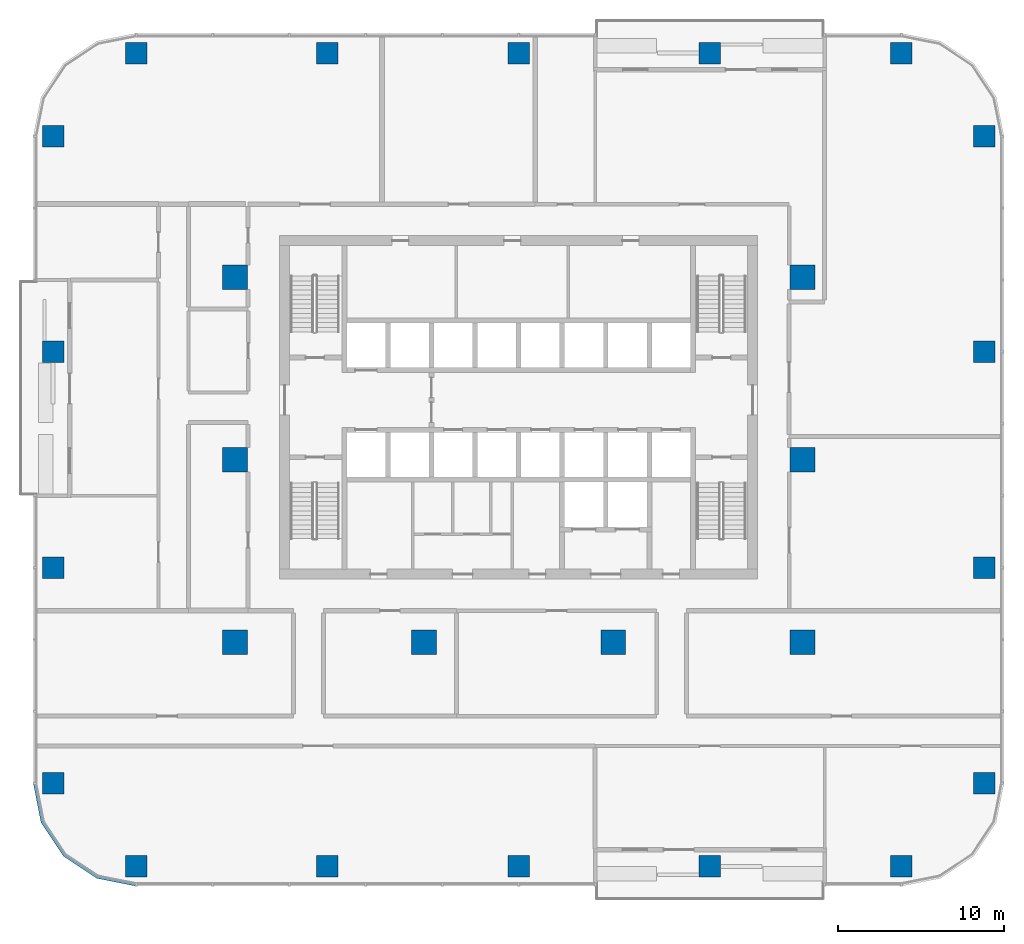
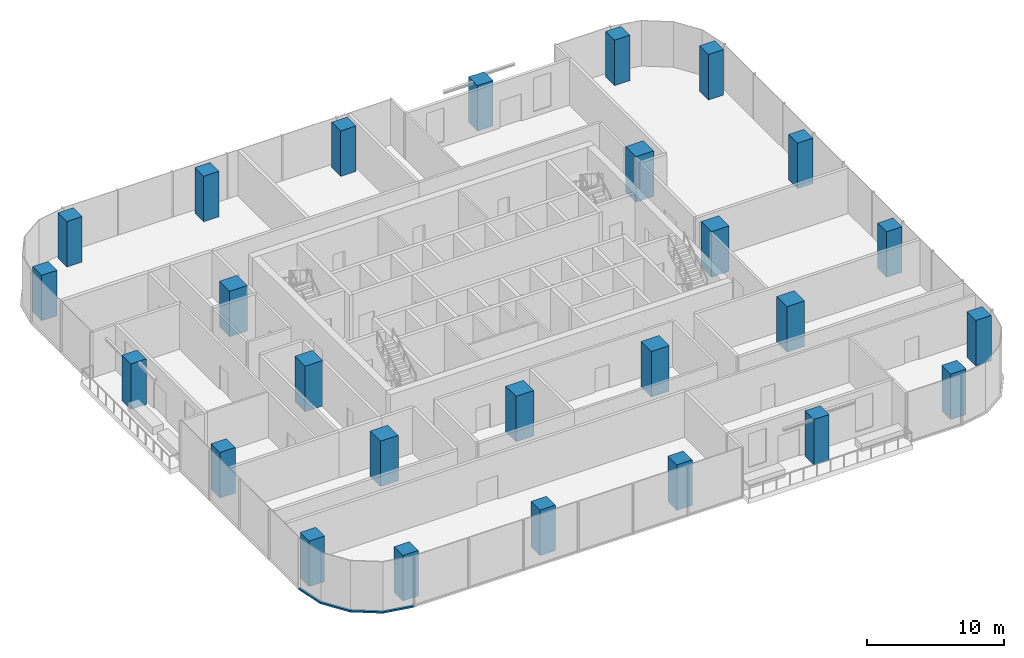
# One storey, part 1 of 15: 26 columns, 1 member, 1 element without a shape of its own.
"""IFC4 building model written with IfcOpenShell, lengths in metres."""

from ifc_helpers import new_model, si_unit, direction, frame, origin, origin_2d, place, context, subcontext, project, spatial, polyline, rectangle, outline, extrude, material, material_profile, profile_set, type_object, element, aggregate, save


model = new_model("IFC4")

# Units and contexts
model_context = context("Model", 3, precision=1e-05, world=origin(), true_north=direction((0.0, 1.0)))
body_context = subcontext(model_context, "Body", "Model", "MODEL_VIEW")
ifc_project = project(units=[si_unit("LENGTHUNIT", "METRE"), si_unit("AREAUNIT", "SQUARE_METRE"), si_unit("VOLUMEUNIT", "CUBIC_METRE"), si_unit("PLANEANGLEUNIT", "RADIAN"), si_unit("MASSUNIT", "GRAM", prefix="KILO")], contexts=[model_context])

# Site, building, storey
site_placement = place(None, origin())
site = spatial("IfcSite", under=ifc_project, at=site_placement, CompositionType="ELEMENT")
building_placement = place(site_placement, origin())
building = spatial("IfcBuilding", under=site, at=building_placement, Name="Mopane Tessera Tower", CompositionType="ELEMENT")
storey_placement = place(building_placement, frame((0.0, 0.0, 103.60009765625)))
storey = spatial("IfcBuildingStorey", under=building, at=storey_placement, Name="L20", CompositionType="ELEMENT", Elevation=103.60009765625)

# Columns
ifc_material_1 = material(Name="Concrete C60/75", Category="concrete")
ifc_material_profile_1 = material_profile(ifc_material_1, rectangle(XDim=1.5, YDim=1.5, at=origin_2d()))
ifc_profile_set_1 = profile_set([ifc_material_profile_1], Name="Concrete C60/75")
column_type_1 = type_object("IfcColumnType", Name="Interior column 1500 x 1500 C60/75", PredefinedType="COLUMN", material=ifc_profile_set_1)
for number, where, z_axis, x_axis, name in (
    (1, (-17.10009765625, -11.0, 0.0), (0.0, 0.0, 1.0), (1.0, 0.0, 0.0), "Interior column I1A L20"),
    (2, (-17.10009765625, 0.0, 0.0), (0.0, 0.0, 1.0), (1.0, 0.0, 0.0), "Interior column I1B L20"),
    (3, (-17.10009765625, 11.0, 0.0), (0.0, 0.0, 1.0), (1.0, 0.0, 0.0), "Interior column I1C L20"),
    (4, (-5.699951171875, -11.0, 0.0), (0.0, 0.0, 1.0), (1.0, 0.0, 0.0), "Interior column I2A L20"),
    (5, (5.699951171875, -11.0, 0.0), (0.0, 0.0, 1.0), (1.0, 0.0, 0.0), "Interior column I3A L20"),
    (6, (17.10009765625, -11.0, 0.0), (0.0, 0.0, 1.0), (1.0, 0.0, 0.0), "Interior column I4A L20"),
    (7, (17.10009765625, 0.0, 0.0), (0.0, 0.0, 1.0), (1.0, 0.0, 0.0), "Interior column I4B L20"),
    (8, (17.10009765625, 11.0, 0.0), (0.0, 0.0, 1.0), (1.0, 0.0, 0.0), "Interior column I4C L20"),
):
    element("IfcColumn", number, at=place(storey_placement, frame(where, z_axis=z_axis, x_axis=x_axis)), inside=storey, type_object=column_type_1, Name=name, PredefinedType="COLUMN", context=body_context, shape_type="SweptSolid", body=[
        extrude(rectangle(XDim=1.5, YDim=1.5, at=origin_2d()), origin(), (0.0, 0.0, 1.0), 4.0498046875),
    ])
ifc_material_2 = material(Name="Concrete C60/75", Category="concrete")
ifc_material_profile_2 = material_profile(ifc_material_2, rectangle(XDim=1.300048828125, YDim=1.300048828125, at=origin_2d()))
ifc_profile_set_2 = profile_set([ifc_material_profile_2], Name="Concrete C60/75")
column_type_2 = type_object("IfcColumnType", Name="Ring column 1300 x 1300 C60/75", PredefinedType="COLUMN", material=ifc_profile_set_2)
for number, where, z_axis, x_axis, name in (
    (9, (-23.050048828125, -24.5, 0.0), (0.0, 0.0, 1.0), (1.0, 0.0, 0.0), "Ring column S0 L20"),
    (10, (-11.52490234375, -24.5, 0.0), (0.0, 0.0, 1.0), (1.0, 0.0, 0.0), "Ring column S1 L20"),
    (11, (0.0, -24.5, 0.0), (0.0, 0.0, 1.0), (1.0, 0.0, 0.0), "Ring column S2 L20"),
    (12, (11.52490234375, -24.5, 0.0), (0.0, 0.0, 1.0), (1.0, 0.0, 0.0), "Ring column S3 L20"),
    (13, (23.050048828125, -24.5, 0.0), (0.0, 0.0, 1.0), (1.0, 0.0, 0.0), "Ring column S4 L20"),
    (14, (28.050048828125, -19.5, 0.0), (0.0, 0.0, 1.0), (1.0, 0.0, 0.0), "Ring column E0 L20"),
    (15, (28.050048828125, -6.5, 0.0), (0.0, 0.0, 1.0), (1.0, 0.0, 0.0), "Ring column E1 L20"),
    (16, (28.050048828125, 6.5, 0.0), (0.0, 0.0, 1.0), (1.0, 0.0, 0.0), "Ring column E2 L20"),
    (17, (28.050048828125, 19.5, 0.0), (0.0, 0.0, 1.0), (1.0, 0.0, 0.0), "Ring column E3 L20"),
    (18, (23.050048828125, 24.5, 0.0), (0.0, 0.0, 1.0), (1.0, 0.0, 0.0), "Ring column N0 L20"),
    (19, (11.52490234375, 24.5, 0.0), (0.0, 0.0, 1.0), (1.0, 0.0, 0.0), "Ring column N1 L20"),
    (20, (0.0, 24.5, 0.0), (0.0, 0.0, 1.0), (1.0, 0.0, 0.0), "Ring column N2 L20"),
    (21, (-11.52490234375, 24.5, 0.0), (0.0, 0.0, 1.0), (1.0, 0.0, 0.0), "Ring column N3 L20"),
    (22, (-23.050048828125, 24.5, 0.0), (0.0, 0.0, 1.0), (1.0, 0.0, 0.0), "Ring column N4 L20"),
    (23, (-28.050048828125, 19.5, 0.0), (0.0, 0.0, 1.0), (1.0, 0.0, 0.0), "Ring column W0 L20"),
    (24, (-28.050048828125, 6.5, 0.0), (0.0, 0.0, 1.0), (1.0, 0.0, 0.0), "Ring column W1 L20"),
    (25, (-28.050048828125, -6.5, 0.0), (0.0, 0.0, 1.0), (1.0, 0.0, 0.0), "Ring column W2 L20"),
    (26, (-28.050048828125, -19.5, 0.0), (0.0, 0.0, 1.0), (1.0, 0.0, 0.0), "Ring column W3 L20"),
):
    element("IfcColumn", number, at=place(storey_placement, frame(where, z_axis=z_axis, x_axis=x_axis)), inside=storey, type_object=column_type_2, Name=name, PredefinedType="COLUMN", context=body_context, shape_type="SweptSolid", body=[
        extrude(rectangle(XDim=1.300048828125, YDim=1.300048828125, at=origin_2d()), origin(), (0.0, 0.0, 1.0), 4.0498046875),
    ])

# Curtain wall, member
ifc_material_3 = material(Name="Aluminium frame", Category="aluminium")
curtain_wall_type = type_object("IfcCurtainWallType", Name="Lower tower unitised wall", PredefinedType="NOTDEFINED", material=ifc_material_3)
curtain_wall_placement = place(storey_placement, origin())
curtain_wall = element("IfcCurtainWall", 27, at=curtain_wall_placement, inside=storey, type_object=curtain_wall_type, Name="e:cw:L20:CW", PredefinedType="NOTDEFINED")
ifc_material_4 = material(Name="Aluminium frame", Category="aluminium")
ifc_material_profile_3 = material_profile(ifc_material_4, rectangle(XDim=0.199951171875, YDim=0.139892578125, at=origin_2d()))
ifc_profile_set_3 = profile_set([ifc_material_profile_3], Name="Aluminium frame")
member_type = type_object("IfcMemberType", Name="Aluminium transom 200 x 140", PredefinedType="USERDEFINED", material=ifc_profile_set_3)
member_placement = place(storey_placement, frame((0.0, 0.0, -0.4501953125)))
member = element("IfcMember", 28, at=member_placement, type_object=member_type, Name="e:cw:L20:CW:tr", ObjectType="TRANSOM", PredefinedType="USERDEFINED", context=body_context, shape_type="SweptSolid", body=[
    extrude(outline(polyline([(-29.050048828125, -19.5), (-28.59326171875, -21.796142578125), (-27.292724609375, -23.74267578125), (-25.34619140625, -25.043212890625), (-23.050048828125, -25.5), (-23.050048828125, -25.699951171875), (-25.422607421875, -25.22802734375), (-27.43408203125, -23.884033203125), (-28.778076171875, -21.87255859375), (-29.25, -19.5), (-29.050048828125, -19.5)])), origin(), (0.0, 0.0, 1.0), 0.14013671875),
])
aggregate(curtain_wall, [member])

save(model, "model.ifc")
